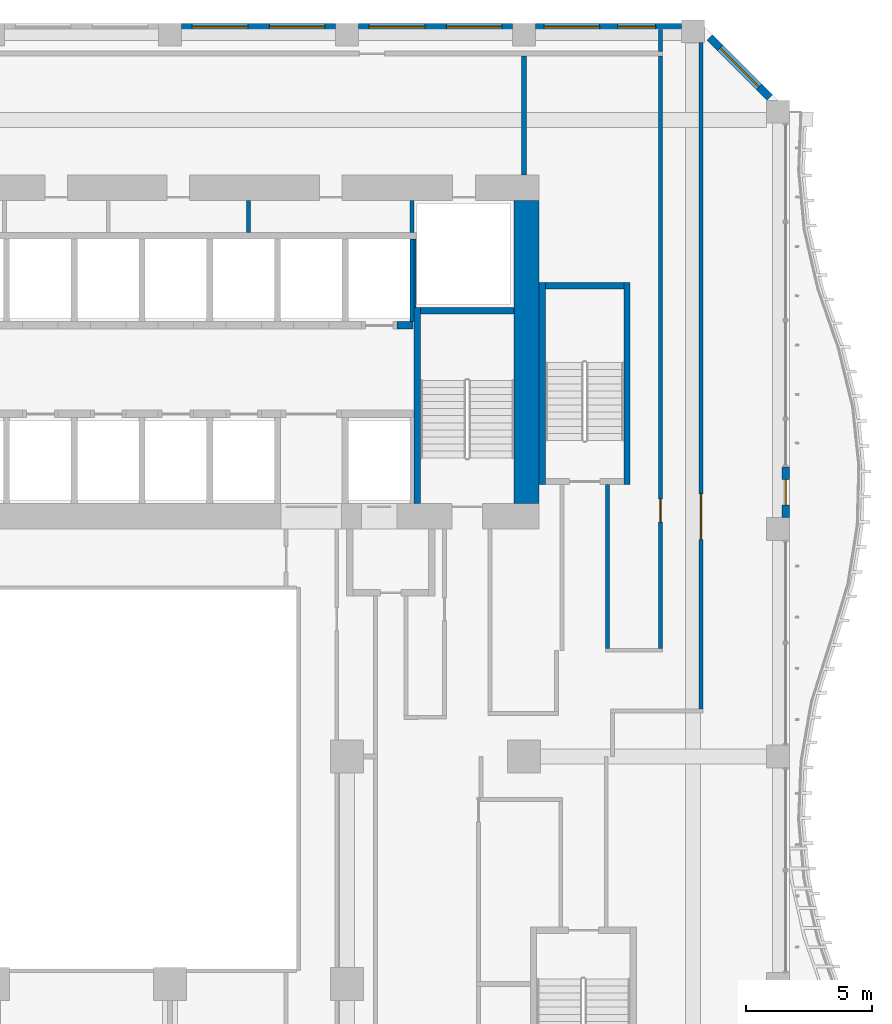
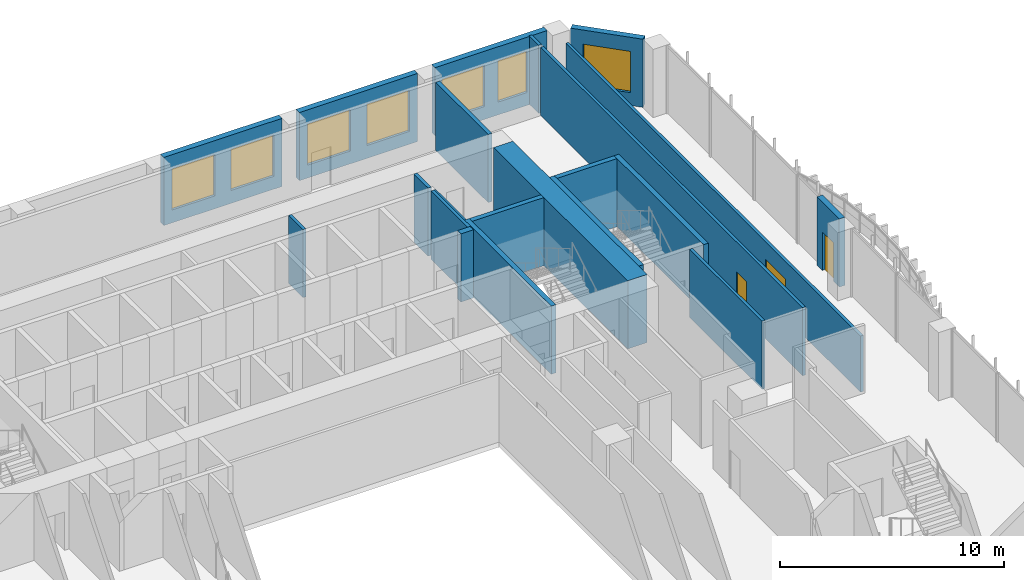
# One storey, part 17 of 27: 21 walls, 7 windows, 3 doors, 10 openings.
"""IFC4 building model written with IfcOpenShell, lengths in metres."""

from ifc_helpers import new_model, si_unit, direction, frame, frame_2d, origin, place, context, subcontext, project, spatial, rectangle, extrude, source, transform, mapped, material, layer, layer_set, type_object, element, fill, save


model = new_model("IFC4")

# Units and contexts
model_context = context("Model", 3, precision=1e-05, world=origin(), true_north=direction((0.0, 1.0)))
body_context = subcontext(model_context, "Body", "Model", "MODEL_VIEW")
ifc_project = project(units=[si_unit("LENGTHUNIT", "METRE"), si_unit("AREAUNIT", "SQUARE_METRE"), si_unit("VOLUMEUNIT", "CUBIC_METRE"), si_unit("PLANEANGLEUNIT", "RADIAN"), si_unit("MASSUNIT", "GRAM", prefix="KILO")], contexts=[model_context])

# Site, building, storey
site_placement = place(None, origin())
site = spatial("IfcSite", under=ifc_project, at=site_placement, CompositionType="ELEMENT")
building_placement = place(site_placement, origin())
building = spatial("IfcBuilding", under=site, at=building_placement, Name="Kilnfold Tower and Market Hall", CompositionType="ELEMENT")
storey_placement = place(building_placement, frame((0.0, 0.0, 43.0)))
storey = spatial("IfcBuildingStorey", under=building, at=storey_placement, Name="L09", CompositionType="ELEMENT", Elevation=43.0)

# Wall
ifc_material_1 = material(Name="Gypsum board on steel studs", Category="steel")
ifc_layer_1 = layer(ifc_material_1, 0.14990234375)
ifc_layer_set_1 = layer_set([ifc_layer_1], Name="Gypsum board on steel studs")
wall_type_1 = type_object("IfcWallType", Name="WALL CORRIDOR 150", PredefinedType="PARTITIONING", material=ifc_layer_set_1)
wall_1_placement = place(storey_placement, frame((20.800048828125, 3.27490234375, 0.0), z_axis=(0.0, 0.0, 1.0), x_axis=(0.0, 1.0, 0.0)))
element("IfcWall", 1, at=wall_1_placement, inside=storey, type_object=wall_type_1, Name="Partition LY08.27", PredefinedType="PARTITIONING", context=body_context, shape_type="SweptSolid", body=[
    extrude(rectangle(XDim=6.47509765625, YDim=0.14990234375, at=frame_2d((3.237548828125, 0.0))), origin(), (0.0, 0.0, 1.0), 3.719970703125),
])

# Wall, opening, door
wall_2_placement = place(storey_placement, frame((22.89990234375, 3.27490234375, 0.0), z_axis=(0.0, 0.0, 1.0), x_axis=(0.0, 1.0, 0.0)))
wall_2 = element("IfcWall", 2, at=wall_2_placement, inside=storey, type_object=wall_type_1, Name="Partition LY08.29", PredefinedType="PARTITIONING", context=body_context, shape_type="SweptSolid", body=[
    extrude(rectangle(XDim=23.43505859375, YDim=0.14990234375, at=frame_2d((11.717529296875, 0.0))), origin(), (0.0, 0.0, 1.0), 3.719970703125),
])
opening_1_placement = place(wall_2_placement, frame((5.008056640625, 0.0, 0.0)))
opening_1 = element("IfcOpeningElement", 3, at=opening_1_placement, cuts=wall_2, Name="Opening D2", PredefinedType="OPENING", context=body_context, shape_type="SweptSolid", body=[
    extrude(rectangle(XDim=0.89990234375, YDim=2.10009765625, at=frame_2d((0.449951171875, 1.050048828125))), frame((0.0, 0.0849609375, 0.0), z_axis=(0.0, -1.0, 0.0), x_axis=(1.0, 0.0, 0.0)), (0.0, 0.0, 1.0), 0.169921875),
])
ifc_material_2 = material(Name="Timber veneer door leaf in steel frame", Category="steel")
door_type_1 = type_object("IfcDoorType", Name="DOOR ROOM 900 X2100", OperationType="NOTDEFINED", PredefinedType="DOOR", material=ifc_material_2)
door_1_placement = place(opening_1_placement, origin())
door_1 = element("IfcDoor", 4, at=door_1_placement, inside=storey, type_object=door_type_1, Name="Door D2", OperationType="SINGLE_SWING_RIGHT", OverallHeight=2.10009765625, OverallWidth=0.89990234375, PredefinedType="DOOR", context=body_context, shape_type="SweptSolid", body=[
    extrude(rectangle(XDim=0.89990234375, YDim=2.10009765625, at=frame_2d((0.449951171875, 1.050048828125))), frame((0.0, 0.02490234375, 0.0), z_axis=(0.0, -1.0, 0.0), x_axis=(1.0, 0.0, 0.0)), (0.0, 0.0, 1.0), 0.050048828125),
])
fill(opening_1, door_1)

wall_3_placement = place(storey_placement, frame((24.5, 0.875, 0.0), z_axis=(0.0, 0.0, 1.0), x_axis=(0.0, 1.0, 0.0)))
wall_3 = element("IfcWall", 5, at=wall_3_placement, inside=storey, type_object=wall_type_1, Name="Partition LY08.48", PredefinedType="PARTITIONING", context=body_context, shape_type="SweptSolid", body=[
    extrude(rectangle(XDim=26.35693359375, YDim=0.14990234375, at=frame_2d((13.178466796875, 0.0))), origin(), (0.0, 0.0, 1.0), 3.070068359375),
])
opening_2_placement = place(wall_3_placement, frame((6.715087890625, 0.0, 0.0)))
opening_2 = element("IfcOpeningElement", 6, at=opening_2_placement, cuts=wall_3, Name="Opening D5", PredefinedType="OPENING", context=body_context, shape_type="SweptSolid", body=[
    extrude(rectangle(XDim=1.800048828125, YDim=2.10009765625, at=frame_2d((0.89990234375, 1.050048828125))), frame((0.0, 0.0849609375, 0.0), z_axis=(0.0, -1.0, 0.0), x_axis=(1.0, 0.0, 0.0)), (0.0, 0.0, 1.0), 0.169921875),
])
ifc_material_3 = material(Name="Timber veneer door leaf in steel frame", Category="steel")
door_type_2 = type_object("IfcDoorType", Name="DOOR DOUBLE 1800 X2100", OperationType="NOTDEFINED", PredefinedType="DOOR", material=ifc_material_3)
door_2_placement = place(opening_2_placement, origin())
door_2 = element("IfcDoor", 7, at=door_2_placement, inside=storey, type_object=door_type_2, Name="Door D5", OperationType="DOUBLE_DOOR_SINGLE_SWING", OverallHeight=2.10009765625, OverallWidth=1.800048828125, PredefinedType="DOOR", context=body_context, shape_type="SweptSolid", body=[
    extrude(rectangle(XDim=1.800048828125, YDim=2.10009765625, at=frame_2d((0.89990234375, 1.050048828125))), frame((0.0, 0.02490234375, 0.0), z_axis=(0.0, -1.0, 0.0), x_axis=(1.0, 0.0, 0.0)), (0.0, 0.0, 1.0), 0.050048828125),
])
fill(opening_2, door_2)

# Walls
wall_4_placement = place(storey_placement, frame((22.89990234375, 26.89111328125, 0.0), z_axis=(0.0, 0.0, 1.0), x_axis=(0.0, 1.0, 0.0)))
element("IfcWall", 8, at=wall_4_placement, inside=storey, type_object=wall_type_1, Name="Partition LY08.54", PredefinedType="PARTITIONING", context=body_context, shape_type="SweptSolid", body=[
    extrude(rectangle(XDim=0.85888671875, YDim=0.14990234375, at=frame_2d((0.429443359375, 0.0))), origin(), (0.0, 0.0, 1.0), 3.719970703125),
])
ifc_material_4 = material(Name="Gypsum board on steel studs", Category="steel")
ifc_layer_2 = layer(ifc_material_4, 0.199951171875)
ifc_layer_set_2 = layer_set([ifc_layer_2], Name="Gypsum board on steel studs")
wall_type_2 = type_object("IfcWallType", Name="WALL PARTY 200", PredefinedType="PARTITIONING", material=ifc_layer_set_2)
wall_5_placement = place(storey_placement, frame((17.5, 22.0, 0.0), z_axis=(0.0, 0.0, 1.0), x_axis=(0.0, 1.0, 0.0)))
element("IfcWall", 9, at=wall_5_placement, inside=storey, type_object=wall_type_2, Name="Partition LY08.55", PredefinedType="PARTITIONING", context=body_context, shape_type="SweptSolid", body=[
    extrude(rectangle(XDim=4.699951171875, YDim=0.199951171875, at=frame_2d((2.35009765625, 0.0))), origin(), (0.0, 0.0, 1.0), 3.719970703125),
])
ifc_material_5 = material(Name="Concrete C80", Category="concrete")
ifc_layer_3 = layer(ifc_material_5, 1.0)
ifc_layer_set_3 = layer_set([ifc_layer_3], Name="Concrete C80")
wall_type_3 = type_object("IfcWallType", Name="CORE WALL 1000 C80", PredefinedType="SHEAR", material=ifc_layer_set_3)
shared_shape_1 = source(origin(), body_context, "Body", "SweptSolid", [
    extrude(rectangle(XDim=12.0, YDim=1.0, at=frame_2d((6.0, 0.0))), origin(), (0.0, 0.0, 1.0), 3.719970703125),
])
wall_6_placement = place(storey_placement, frame((17.60009765625, 9.0, 0.0), z_axis=(0.0, 0.0, 1.0), x_axis=(0.0, 1.0, 0.0)))
element("IfcWall", 10, at=wall_6_placement, inside=storey, type_object=wall_type_3, Name="Core outer wall east", PredefinedType="SHEAR", context=body_context, shape_type="MappedRepresentation", body=[
    mapped(shared_shape_1, transform((0.0, 0.0, 0.0))),
])
ifc_material_6 = material(Name="Concrete C80", Category="concrete")
ifc_layer_4 = layer(ifc_material_6, 0.25)
ifc_layer_set_4 = layer_set([ifc_layer_4], Name="Concrete C80")
wall_type_4 = type_object("IfcWallType", Name="CORE WALL 250 C80", PredefinedType="SHEAR", material=ifc_layer_set_4)
shared_shape_2 = source(origin(), body_context, "Body", "SweptSolid", [
    extrude(rectangle(XDim=7.75, YDim=0.25, at=frame_2d((3.875, 0.0))), origin(), (0.0, 0.0, 1.0), 3.719970703125),
])
wall_7_placement = place(storey_placement, frame((13.27490234375, 9.0, 0.0), z_axis=(0.0, 0.0, 1.0), x_axis=(0.0, 1.0, 0.0)))
element("IfcWall", 11, at=wall_7_placement, inside=storey, type_object=wall_type_4, Name="Stair enclosure ST2", PredefinedType="SHEAR", context=body_context, shape_type="MappedRepresentation", body=[
    mapped(shared_shape_2, transform((0.0, 0.0, 0.0))),
])
shared_shape_3 = source(origin(), body_context, "Body", "SweptSolid", [
    extrude(rectangle(XDim=3.7001953125, YDim=0.25, at=frame_2d((1.85009765625, 0.0))), origin(), (0.0, 0.0, 1.0), 3.719970703125),
])
wall_8_placement = place(storey_placement, frame((13.39990234375, 16.625, 0.0), z_axis=(0.0, 0.0, 1.0), x_axis=(1.0, 0.0, 0.0)))
element("IfcWall", 12, at=wall_8_placement, inside=storey, type_object=wall_type_4, Name="Stair enclosure ST2", PredefinedType="SHEAR", context=body_context, shape_type="MappedRepresentation", body=[
    mapped(shared_shape_3, transform((0.0, 0.0, 0.0))),
])
shared_shape_4 = source(origin(), body_context, "Body", "SweptSolid", [
    extrude(rectangle(XDim=8.0, YDim=0.25, at=frame_2d((4.0, 0.0))), origin(), (0.0, 0.0, 1.0), 3.719970703125),
])
for number, where, z_axis, x_axis, name in (
    (13, (18.22509765625, 9.75, 0.0), (0.0, 0.0, 1.0), (0.0, 1.0, 0.0), "Stair enclosure ST5"),
    (14, (21.574951171875, 9.75, 0.0), (0.0, 0.0, 1.0), (0.0, 1.0, 0.0), "Stair enclosure ST5"),
):
    element("IfcWall", number, at=place(storey_placement, frame(where, z_axis=z_axis, x_axis=x_axis)), inside=storey, type_object=wall_type_4, Name=name, PredefinedType="SHEAR", context=body_context, shape_type="MappedRepresentation", body=[
        mapped(shared_shape_4, transform((0.0, 0.0, 0.0))),
    ])
shared_shape_5 = source(origin(), body_context, "Body", "SweptSolid", [
    extrude(rectangle(XDim=3.099853515625, YDim=0.25, at=frame_2d((1.5498046875, 0.0))), origin(), (0.0, 0.0, 1.0), 3.719970703125),
])
wall_9_placement = place(storey_placement, frame((18.35009765625, 17.625, 0.0), z_axis=(0.0, 0.0, 1.0), x_axis=(1.0, 0.0, 0.0)))
element("IfcWall", 15, at=wall_9_placement, inside=storey, type_object=wall_type_4, Name="Stair enclosure ST5", PredefinedType="SHEAR", context=body_context, shape_type="MappedRepresentation", body=[
    mapped(shared_shape_5, transform((0.0, 0.0, 0.0))),
])
ifc_material_7 = material(Name="Concrete C80", Category="concrete")
ifc_layer_5 = layer(ifc_material_7, 0.300048828125)
ifc_layer_set_5 = layer_set([ifc_layer_5], Name="Concrete C80")
wall_type_5 = type_object("IfcWallType", Name="CORE WALL 300 C80", PredefinedType="SHEAR", material=ifc_layer_set_5)
shared_shape_6 = source(origin(), body_context, "Body", "SweptSolid", [
    extrude(rectangle(XDim=0.64013671875, YDim=0.300048828125, at=frame_2d((0.320068359375, 0.0))), origin(), (0.0, 0.0, 1.0), 3.719970703125),
])
wall_10_placement = place(storey_placement, frame((12.469970703125, 16.050048828125, 0.0), z_axis=(0.0, 0.0, 1.0), x_axis=(1.0, 0.0, 0.0)))
element("IfcWall", 16, at=wall_10_placement, inside=storey, type_object=wall_type_5, Name="Core spine wall", PredefinedType="SHEAR", context=body_context, shape_type="MappedRepresentation", body=[
    mapped(shared_shape_6, transform((0.0, 0.0, 0.0))),
])

# Wall, opening, door
ifc_material_8 = material(Name="Precast concrete C50/60", Category="concrete")
ifc_layer_6 = layer(ifc_material_8, 0.300048828125)
ifc_layer_set_6 = layer_set([ifc_layer_6], Name="Precast concrete C50/60")
wall_type_6 = type_object("IfcWallType", Name="PRECAST WALL 300", PredefinedType="SOLIDWALL", material=ifc_layer_set_6)
shared_shape_7 = source(origin(), body_context, "Body", "SweptSolid", [
    extrude(rectangle(XDim=2.0, YDim=0.300048828125, at=frame_2d((1.0, 0.0))), origin(), (0.0, 0.0, 1.0), 3.719970703125),
])
wall_11_placement = place(storey_placement, frame((27.85009765625, 8.449951171875, 0.0), z_axis=(0.0, 0.0, 1.0), x_axis=(0.0, 1.0, 0.0)))
wall_11 = element("IfcWall", 17, at=wall_11_placement, inside=storey, type_object=wall_type_6, Name="External wall L09 E", PredefinedType="SOLIDWALL", context=body_context, shape_type="MappedRepresentation", body=[
    mapped(shared_shape_7, transform((0.0, 0.0, 0.0))),
])
opening_3_placement = place(wall_11_placement, frame((0.5, 0.0, 0.0)))
opening_3 = element("IfcOpeningElement", 18, at=opening_3_placement, cuts=wall_11, Name="Opening BD1", PredefinedType="OPENING", context=body_context, shape_type="SweptSolid", body=[
    extrude(rectangle(XDim=1.0, YDim=2.10009765625, at=frame_2d((0.5, 1.050048828125))), frame((0.0, 0.16015625, 0.0), z_axis=(0.0, -1.0, 0.0), x_axis=(1.0, 0.0, 0.0)), (0.0, 0.0, 1.0), 0.320068359375),
])
ifc_material_9 = material(Name="Aluminium frame and double glazing", Category="aluminium")
door_type_3 = type_object("IfcDoorType", Name="BALCONY DOOR 1000X2100", OperationType="NOTDEFINED", PredefinedType="DOOR", material=ifc_material_9)
door_3_placement = place(opening_3_placement, origin())
door_3 = element("IfcDoor", 19, at=door_3_placement, inside=storey, type_object=door_type_3, Name="Balcony door BD1 L09 E-1", OperationType="SINGLE_SWING_LEFT", OverallHeight=2.10009765625, OverallWidth=1.0, PredefinedType="DOOR", context=body_context, shape_type="SweptSolid", body=[
    extrude(rectangle(XDim=1.0, YDim=2.10009765625, at=frame_2d((0.5, 1.050048828125))), frame((0.0, 0.02490234375, 0.0), z_axis=(0.0, -1.0, 0.0), x_axis=(1.0, 0.0, 0.0)), (0.0, 0.0, 1.0), 0.050048828125),
])
fill(opening_3, door_3)

# Wall, opening, window
shared_shape_8 = source(origin(), body_context, "Body", "SweptSolid", [
    extrude(rectangle(XDim=3.35888671875, YDim=0.300048828125, at=frame_2d((1.679443359375, 0.0))), origin(), (0.0, 0.0, 1.0), 3.719970703125),
])
wall_12_placement = place(storey_placement, frame((27.218994140625, 25.06884765625, 0.0), z_axis=(0.0, 0.0, 1.0), x_axis=(-0.707070438228, 0.707143122278, 0.0)))
wall_12 = element("IfcWall", 20, at=wall_12_placement, inside=storey, type_object=wall_type_6, Name="External wall L09 NE", PredefinedType="SOLIDWALL", context=body_context, shape_type="MappedRepresentation", body=[
    mapped(shared_shape_8, transform((0.0, 0.0, 0.0))),
])
opening_4_placement = place(wall_12_placement, frame((0.579345703125, 0.0, 0.699951171875)))
opening_4 = element("IfcOpeningElement", 21, at=opening_4_placement, cuts=wall_12, Name="Opening W1", PredefinedType="OPENING", context=body_context, shape_type="SweptSolid", body=[
    extrude(rectangle(XDim=2.199951171875, YDim=2.25, at=frame_2d((1.10009765625, 1.125))), frame((0.0, 0.16015625, 0.0), z_axis=(0.0, -1.0, 0.0), x_axis=(1.0, 0.0, 0.0)), (0.0, 0.0, 1.0), 0.320068359375),
])
ifc_material_10 = material(Name="Aluminium frame and double glazing", Category="aluminium")
window_type_1 = type_object("IfcWindowType", Name="WINDOW W1 2200X2250", PartitioningType="SINGLE_PANEL", PredefinedType="WINDOW", material=ifc_material_10)
window_1_placement = place(opening_4_placement, origin())
window_1 = element("IfcWindow", 22, at=window_1_placement, inside=storey, type_object=window_type_1, Name="Window W1 L09 NE-1", OverallHeight=2.25, OverallWidth=2.199951171875, PartitioningType="SINGLE_PANEL", PredefinedType="WINDOW", context=body_context, shape_type="SweptSolid", body=[
    extrude(rectangle(XDim=2.199951171875, YDim=2.25, at=frame_2d((1.10009765625, 1.125))), frame((0.0, 0.030029296875, 0.0), z_axis=(0.0, -1.0, 0.0), x_axis=(1.0, 0.0, 0.0)), (0.0, 0.0, 1.0), 0.06005859375),
])
fill(opening_4, window_1)

# Wall, openings, windows
shared_shape_9 = source(origin(), body_context, "Body", "SweptSolid", [
    extrude(rectangle(XDim=5.78173828125, YDim=0.300048828125, at=frame_2d((2.890869140625, 0.0))), origin(), (0.0, 0.0, 1.0), 3.719970703125),
])
wall_13_placement = place(storey_placement, frame((23.731689453125, 27.85009765625, 0.0), z_axis=(0.0, 0.0, 1.0), x_axis=(-1.0, 0.0, 0.0)))
wall_13 = element("IfcWall", 23, at=wall_13_placement, inside=storey, type_object=wall_type_6, Name="External wall L09 N", PredefinedType="SOLIDWALL", context=body_context, shape_type="MappedRepresentation", body=[
    mapped(shared_shape_9, transform((0.0, 0.0, 0.0))),
])
opening_5_placement = place(wall_13_placement, frame((1.026123046875, 0.0, 0.699951171875)))
opening_5 = element("IfcOpeningElement", 24, at=opening_5_placement, cuts=wall_13, Name="Opening W1-A", PredefinedType="OPENING", context=body_context, shape_type="SweptSolid", body=[
    extrude(rectangle(XDim=1.5, YDim=2.25, at=frame_2d((0.75, 1.125))), frame((0.0, 0.16015625, 0.0), z_axis=(0.0, -1.0, 0.0), x_axis=(1.0, 0.0, 0.0)), (0.0, 0.0, 1.0), 0.320068359375),
])
opening_6_placement = place(wall_13_placement, frame((3.236328125, 0.0, 0.699951171875)))
opening_6 = element("IfcOpeningElement", 25, at=opening_6_placement, cuts=wall_13, Name="Opening W1", PredefinedType="OPENING", context=body_context, shape_type="SweptSolid", body=[
    extrude(rectangle(XDim=2.199951171875, YDim=2.25, at=frame_2d((1.10009765625, 1.125))), frame((0.0, 0.16015625, 0.0), z_axis=(0.0, -1.0, 0.0), x_axis=(1.0, 0.0, 0.0)), (0.0, 0.0, 1.0), 0.320068359375),
])
window_2_placement = place(opening_6_placement, origin())
window_2 = element("IfcWindow", 26, at=window_2_placement, inside=storey, type_object=window_type_1, Name="Window W1 L09 N-2", OverallHeight=2.25, OverallWidth=2.199951171875, PartitioningType="SINGLE_PANEL", PredefinedType="WINDOW", context=body_context, shape_type="SweptSolid", body=[
    extrude(rectangle(XDim=2.199951171875, YDim=2.25, at=frame_2d((1.10009765625, 1.125))), frame((0.0, 0.030029296875, 0.0), z_axis=(0.0, -1.0, 0.0), x_axis=(1.0, 0.0, 0.0)), (0.0, 0.0, 1.0), 0.06005859375),
])
fill(opening_6, window_2)
ifc_material_11 = material(Name="Aluminium frame and double glazing", Category="aluminium")
window_type_2 = type_object("IfcWindowType", Name="WINDOW W1-A 1500X2250", PartitioningType="SINGLE_PANEL", PredefinedType="WINDOW", material=ifc_material_11)
window_3_placement = place(opening_5_placement, origin())
window_3 = element("IfcWindow", 27, at=window_3_placement, inside=storey, type_object=window_type_2, Name="Window W1-A L09 N-1", OverallHeight=2.25, OverallWidth=1.5, PartitioningType="SINGLE_PANEL", PredefinedType="WINDOW", context=body_context, shape_type="SweptSolid", body=[
    extrude(rectangle(XDim=1.5, YDim=2.25, at=frame_2d((0.75, 1.125))), frame((0.0, 0.030029296875, 0.0), z_axis=(0.0, -1.0, 0.0), x_axis=(1.0, 0.0, 0.0)), (0.0, 0.0, 1.0), 0.06005859375),
])
fill(opening_5, window_3)

shared_shape_10 = source(origin(), body_context, "Body", "SweptSolid", [
    extrude(rectangle(XDim=6.10009765625, YDim=0.300048828125, at=frame_2d((3.050048828125, 0.0))), origin(), (0.0, 0.0, 1.0), 3.719970703125),
])
wall_14_placement = place(storey_placement, frame((17.050048828125, 27.85009765625, 0.0), z_axis=(0.0, 0.0, 1.0), x_axis=(-1.0, 0.0, 0.0)))
wall_14 = element("IfcWall", 28, at=wall_14_placement, inside=storey, type_object=wall_type_6, Name="External wall L09 N", PredefinedType="SOLIDWALL", context=body_context, shape_type="MappedRepresentation", body=[
    mapped(shared_shape_10, transform((0.0, 0.0, 0.0))),
])
opening_7_placement = place(wall_14_placement, frame((0.425048828125, 0.0, 0.699951171875)))
opening_7 = element("IfcOpeningElement", 29, at=opening_7_placement, cuts=wall_14, Name="Opening W1", PredefinedType="OPENING", context=body_context, shape_type="SweptSolid", body=[
    extrude(rectangle(XDim=2.199951171875, YDim=2.25, at=frame_2d((1.10009765625, 1.125))), frame((0.0, 0.16015625, 0.0), z_axis=(0.0, -1.0, 0.0), x_axis=(1.0, 0.0, 0.0)), (0.0, 0.0, 1.0), 0.320068359375),
])
opening_8_placement = place(wall_14_placement, frame((3.47509765625, 0.0, 0.699951171875)))
opening_8 = element("IfcOpeningElement", 30, at=opening_8_placement, cuts=wall_14, Name="Opening W1", PredefinedType="OPENING", context=body_context, shape_type="SweptSolid", body=[
    extrude(rectangle(XDim=2.199951171875, YDim=2.25, at=frame_2d((1.10009765625, 1.125))), frame((0.0, 0.16015625, 0.0), z_axis=(0.0, -1.0, 0.0), x_axis=(1.0, 0.0, 0.0)), (0.0, 0.0, 1.0), 0.320068359375),
])
window_4_placement = place(opening_7_placement, origin())
window_4 = element("IfcWindow", 31, at=window_4_placement, inside=storey, type_object=window_type_1, Name="Window W1 L09 N-1", OverallHeight=2.25, OverallWidth=2.199951171875, PartitioningType="SINGLE_PANEL", PredefinedType="WINDOW", context=body_context, shape_type="SweptSolid", body=[
    extrude(rectangle(XDim=2.199951171875, YDim=2.25, at=frame_2d((1.10009765625, 1.125))), frame((0.0, 0.030029296875, 0.0), z_axis=(0.0, -1.0, 0.0), x_axis=(1.0, 0.0, 0.0)), (0.0, 0.0, 1.0), 0.06005859375),
])
fill(opening_7, window_4)
window_5_placement = place(opening_8_placement, origin())
window_5 = element("IfcWindow", 32, at=window_5_placement, inside=storey, type_object=window_type_1, Name="Window W1 L09 N-2", OverallHeight=2.25, OverallWidth=2.199951171875, PartitioningType="SINGLE_PANEL", PredefinedType="WINDOW", context=body_context, shape_type="SweptSolid", body=[
    extrude(rectangle(XDim=2.199951171875, YDim=2.25, at=frame_2d((1.10009765625, 1.125))), frame((0.0, 0.030029296875, 0.0), z_axis=(0.0, -1.0, 0.0), x_axis=(1.0, 0.0, 0.0)), (0.0, 0.0, 1.0), 0.06005859375),
])
fill(opening_8, window_5)

wall_15_placement = place(storey_placement, frame((10.050048828125, 27.85009765625, 0.0), z_axis=(0.0, 0.0, 1.0), x_axis=(-1.0, 0.0, 0.0)))
wall_15 = element("IfcWall", 33, at=wall_15_placement, inside=storey, type_object=wall_type_6, Name="External wall L09 N", PredefinedType="SOLIDWALL", context=body_context, shape_type="MappedRepresentation", body=[
    mapped(shared_shape_10, transform((0.0, 0.0, 0.0))),
])
opening_9_placement = place(wall_15_placement, frame((0.425048828125, 0.0, 0.699951171875)))
opening_9 = element("IfcOpeningElement", 34, at=opening_9_placement, cuts=wall_15, Name="Opening W1", PredefinedType="OPENING", context=body_context, shape_type="SweptSolid", body=[
    extrude(rectangle(XDim=2.199951171875, YDim=2.25, at=frame_2d((1.10009765625, 1.125))), frame((0.0, 0.16015625, 0.0), z_axis=(0.0, -1.0, 0.0), x_axis=(1.0, 0.0, 0.0)), (0.0, 0.0, 1.0), 0.320068359375),
])
opening_10_placement = place(wall_15_placement, frame((3.47509765625, 0.0, 0.699951171875)))
opening_10 = element("IfcOpeningElement", 35, at=opening_10_placement, cuts=wall_15, Name="Opening W1", PredefinedType="OPENING", context=body_context, shape_type="SweptSolid", body=[
    extrude(rectangle(XDim=2.199951171875, YDim=2.25, at=frame_2d((1.10009765625, 1.125))), frame((0.0, 0.16015625, 0.0), z_axis=(0.0, -1.0, 0.0), x_axis=(1.0, 0.0, 0.0)), (0.0, 0.0, 1.0), 0.320068359375),
])
window_6_placement = place(opening_9_placement, origin())
window_6 = element("IfcWindow", 36, at=window_6_placement, inside=storey, type_object=window_type_1, Name="Window W1 L09 N-1", OverallHeight=2.25, OverallWidth=2.199951171875, PartitioningType="SINGLE_PANEL", PredefinedType="WINDOW", context=body_context, shape_type="SweptSolid", body=[
    extrude(rectangle(XDim=2.199951171875, YDim=2.25, at=frame_2d((1.10009765625, 1.125))), frame((0.0, 0.030029296875, 0.0), z_axis=(0.0, -1.0, 0.0), x_axis=(1.0, 0.0, 0.0)), (0.0, 0.0, 1.0), 0.06005859375),
])
fill(opening_9, window_6)
window_7_placement = place(opening_10_placement, origin())
window_7 = element("IfcWindow", 37, at=window_7_placement, inside=storey, type_object=window_type_1, Name="Window W1 L09 N-2", OverallHeight=2.25, OverallWidth=2.199951171875, PartitioningType="SINGLE_PANEL", PredefinedType="WINDOW", context=body_context, shape_type="SweptSolid", body=[
    extrude(rectangle(XDim=2.199951171875, YDim=2.25, at=frame_2d((1.10009765625, 1.125))), frame((0.0, 0.030029296875, 0.0), z_axis=(0.0, -1.0, 0.0), x_axis=(1.0, 0.0, 0.0)), (0.0, 0.0, 1.0), 0.06005859375),
])
fill(opening_10, window_7)

# Walls
ifc_material_12 = material(Name="Gypsum shaft wall system")
ifc_layer_7 = layer(ifc_material_12, 0.1650390625)
ifc_layer_set_7 = layer_set([ifc_layer_7], Name="Gypsum shaft wall system")
wall_type_7 = type_object("IfcWallType", Name="SHAFT WALL 165", PredefinedType="PARTITIONING", material=ifc_layer_set_7)
shared_shape_11 = source(origin(), body_context, "Body", "SweptSolid", [
    extrude(rectangle(XDim=3.275146484375, YDim=0.1650390625, at=frame_2d((1.6376953125, 0.0))), origin(), (0.0, 0.0, 1.0), 3.719970703125),
])
wall_16_placement = place(storey_placement, frame((13.0673828125, 16.199951171875, 0.0), z_axis=(0.0, 0.0, 1.0), x_axis=(0.0, 1.0, 0.0)))
element("IfcWall", 38, at=wall_16_placement, inside=storey, type_object=wall_type_7, Name="Lift shaft wall", PredefinedType="PARTITIONING", context=body_context, shape_type="MappedRepresentation", body=[
    mapped(shared_shape_11, transform((0.0, 0.0, 0.0))),
])
shared_shape_12 = source(origin(), body_context, "Body", "SweptSolid", [
    extrude(rectangle(XDim=1.27490234375, YDim=0.1650390625, at=frame_2d((0.637451171875, 0.0))), origin(), (0.0, 0.0, 1.0), 3.719970703125),
])
wall_17_placement = place(storey_placement, frame((13.0673828125, 19.72509765625, 0.0), z_axis=(0.0, 0.0, 1.0), x_axis=(0.0, 1.0, 0.0)))
element("IfcWall", 39, at=wall_17_placement, inside=storey, type_object=wall_type_7, Name="Lift shaft wall", PredefinedType="PARTITIONING", context=body_context, shape_type="MappedRepresentation", body=[
    mapped(shared_shape_12, transform((0.0, 0.0, 0.0))),
])
ifc_material_13 = material(Name="Gypsum shaft wall system")
ifc_layer_8 = layer(ifc_material_13, 0.0849609375)
ifc_layer_set_8 = layer_set([ifc_layer_8], Name="Gypsum shaft wall system")
wall_type_8 = type_object("IfcWallType", Name="SHAFT WALL 85", PredefinedType="PARTITIONING", material=ifc_layer_set_8)
shared_shape_13 = source(origin(), body_context, "Body", "SweptSolid", [
    extrude(rectangle(XDim=2.72509765625, YDim=0.0849609375, at=frame_2d((1.362548828125, 0.0))), origin(), (0.0, 0.0, 1.0), 3.719970703125),
])
wall_18_placement = place(storey_placement, frame((13.1923828125, 16.75, 0.0), z_axis=(0.0, 0.0, 1.0), x_axis=(0.0, 1.0, 0.0)))
element("IfcWall", 40, at=wall_18_placement, inside=storey, type_object=wall_type_8, Name="Lift shaft wall", PredefinedType="PARTITIONING", context=body_context, shape_type="MappedRepresentation", body=[
    mapped(shared_shape_13, transform((0.0, 0.0, 0.0))),
])
ifc_material_14 = material(Name="Gypsum shaft wall system")
ifc_layer_9 = layer(ifc_material_14, 0.14990234375)
ifc_layer_set_9 = layer_set([ifc_layer_9], Name="Gypsum shaft wall system")
wall_type_9 = type_object("IfcWallType", Name="ROOM WALL 150", PredefinedType="PARTITIONING", material=ifc_layer_set_9)
shared_shape_14 = source(origin(), body_context, "Body", "SweptSolid", [
    extrude(rectangle(XDim=1.27490234375, YDim=0.14990234375, at=frame_2d((0.637451171875, 0.0))), origin(), (0.0, 0.0, 1.0), 3.719970703125),
])
wall_19_placement = place(storey_placement, frame((6.59765625, 19.72509765625, 0.0), z_axis=(0.0, 0.0, 1.0), x_axis=(0.0, 1.0, 0.0)))
element("IfcWall", 41, at=wall_19_placement, inside=storey, type_object=wall_type_9, Name="Core room wall", PredefinedType="PARTITIONING", context=body_context, shape_type="MappedRepresentation", body=[
    mapped(shared_shape_14, transform((0.0, 0.0, 0.0))),
])

save(model, "model.ifc")
